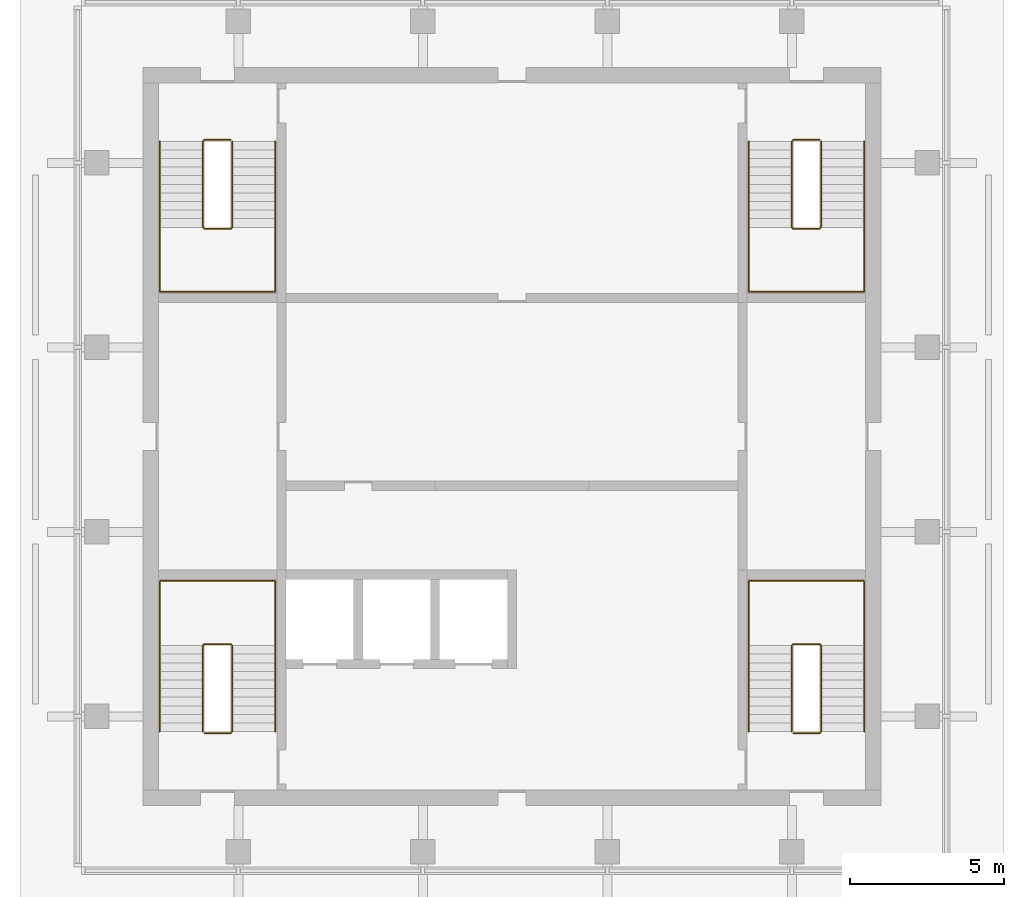
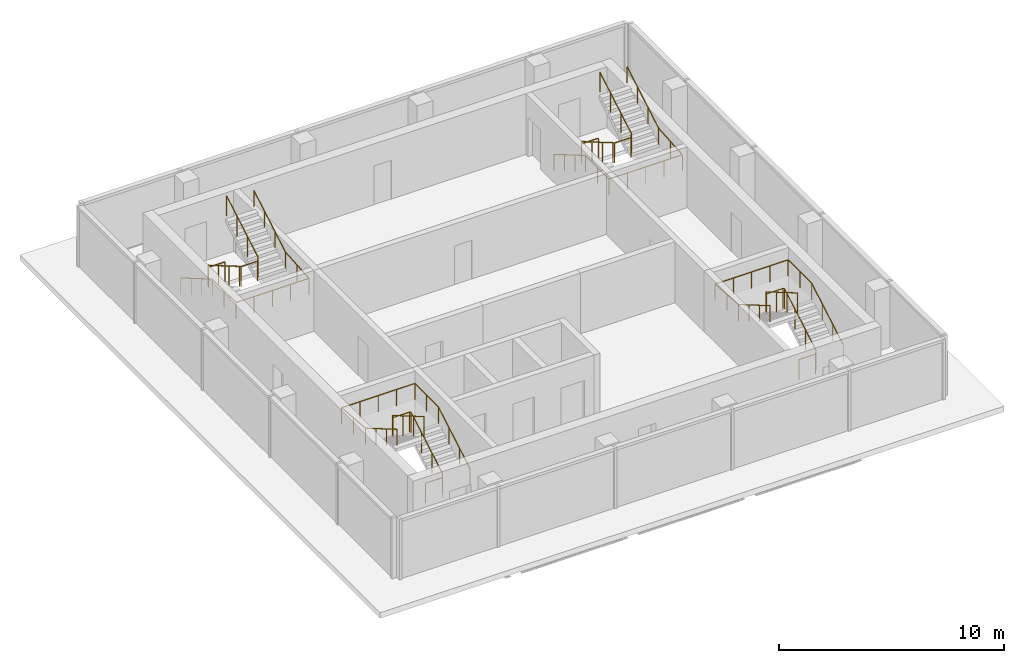
# One storey, part 4 of 4: 8 railings.
"""IFC4 building model written with IfcOpenShell, lengths in metres."""

from ifc_helpers import new_model, si_unit, direction, frame, origin, origin_2d, place, context, subcontext, project, spatial, circle, extrude, material, type_object, element, save


model = new_model("IFC4")

# Units and contexts
model_context = context("Model", 3, precision=1e-05, world=origin(), true_north=direction((0.0, 1.0)))
body_context = subcontext(model_context, "Body", "Model", "MODEL_VIEW")
ifc_project = project(units=[si_unit("LENGTHUNIT", "METRE"), si_unit("AREAUNIT", "SQUARE_METRE"), si_unit("VOLUMEUNIT", "CUBIC_METRE"), si_unit("PLANEANGLEUNIT", "RADIAN"), si_unit("MASSUNIT", "GRAM", prefix="KILO")], contexts=[model_context])

# Site, building, storey
site_placement = place(None, origin())
site = spatial("IfcSite", under=ifc_project, at=site_placement, CompositionType="ELEMENT")
building_placement = place(site_placement, origin())
building = spatial("IfcBuilding", under=site, at=building_placement, Name="Amberfall Residences", CompositionType="ELEMENT")
storey_placement = place(building_placement, frame((0.0, 0.0, 298.0)))
storey = spatial("IfcBuildingStorey", under=building, at=storey_placement, Name="L80 Crown", CompositionType="ELEMENT", Elevation=298.0)

# Railings
ifc_material = material(Name="Stainless steel 316", Category="steel")
railing_type_1 = type_object("IfcRailingType", Name="Stair guard 1100", PredefinedType="GUARDRAIL", material=ifc_material)
railing_1_placement = place(storey_placement, frame((64.5, 35.85009765625, 0.0)))
element("IfcRailing", 1, at=railing_1_placement, inside=storey, type_object=railing_type_1, Name="L80 Crown stair 1 guard", PredefinedType="GUARDRAIL", context=body_context, shape_type="SweptSolid", body=[
    extrude(circle(Radius=0.02392578125, at=origin_2d()), frame((0.0, 0.0, 1.076171875), z_axis=(1.0, 0.0, 0.0), x_axis=(0.0, 1.0, 0.0)), (0.0, 0.0, 1.0), 0.85009765625),
    extrude(circle(Radius=0.02392578125, at=origin_2d()), frame((0.85009765625, 0.0, 1.076171875), z_axis=(0.279653641804, 0.279653641804, 0.918470294159), x_axis=(-0.707106781187, 0.707106781187, 0.0)), (0.0, 0.0, 1.0), 0.177978515625),
    extrude(circle(Radius=0.02392578125, at=origin_2d()), frame((0.89990234375, 0.0498046875, 1.23974609375), z_axis=(0.0, 0.863360870873, 0.504586966384), x_axis=(-1.0, 0.0, 0.0)), (0.0, 0.0, 1.0), 3.2431640625),
    extrude(circle(Radius=0.02392578125, at=origin_2d()), frame((0.89990234375, 2.849853515625, 2.8759765625), z_axis=(-0.705375805398, 0.708833529934, 0.0), x_axis=(-0.708833529934, -0.705375805398, 0.0)), (0.0, 0.0, 1.0), 0.070556640625),
    extrude(circle(Radius=0.02392578125, at=origin_2d()), frame((0.85009765625, 2.89990234375, 2.8759765625), z_axis=(-1.0, 0.0, 0.0), x_axis=(0.0, -1.0, 0.0)), (0.0, 0.0, 1.0), 0.85009765625),
    extrude(circle(Radius=0.02392578125, at=origin_2d()), frame((0.0, 2.89990234375, 2.8759765625), z_axis=(-0.280808744504, -0.280808744504, 0.917765164963), x_axis=(0.707106781187, -0.707106781187, 0.0)), (0.0, 0.0, 1.0), 0.17822265625),
    extrude(circle(Radius=0.02392578125, at=origin_2d()), frame((-0.050048828125, 2.849853515625, 3.03955078125), z_axis=(0.0, -0.863360870873, 0.504586966384), x_axis=(1.0, 0.0, 0.0)), (0.0, 0.0, 1.0), 3.2431640625),
    extrude(circle(Radius=0.02099609375, at=origin_2d()), origin(), (0.0, 0.0, 1.0), 1.052001953125),
    extrude(circle(Radius=0.02099609375, at=origin_2d()), frame((0.85009765625, 0.0, 0.0)), (0.0, 0.0, 1.0), 1.052001953125),
    extrude(circle(Radius=0.02099609375, at=origin_2d()), frame((0.89990234375, 0.0498046875, 0.16357421875)), (0.0, 0.0, 1.0), 1.052001953125),
    extrude(circle(Radius=0.02099609375, at=origin_2d()), frame((0.89990234375, 0.983154296875, 0.708984375)), (0.0, 0.0, 1.0), 1.052001953125),
    extrude(circle(Radius=0.02099609375, at=origin_2d()), frame((0.89990234375, 1.91650390625, 1.254638671875)), (0.0, 0.0, 1.0), 1.052001953125),
    extrude(circle(Radius=0.02099609375, at=origin_2d()), frame((0.89990234375, 2.849853515625, 1.800048828125)), (0.0, 0.0, 1.0), 1.052001953125),
    extrude(circle(Radius=0.02099609375, at=origin_2d()), frame((0.85009765625, 2.89990234375, 1.800048828125)), (0.0, 0.0, 1.0), 1.052001953125),
    extrude(circle(Radius=0.02099609375, at=origin_2d()), frame((0.0, 2.89990234375, 1.800048828125)), (0.0, 0.0, 1.0), 1.052001953125),
    extrude(circle(Radius=0.02099609375, at=origin_2d()), frame((-0.050048828125, 2.849853515625, 1.963623046875)), (0.0, 0.0, 1.0), 1.052001953125),
    extrude(circle(Radius=0.02099609375, at=origin_2d()), frame((-0.050048828125, 1.91650390625, 2.509033203125)), (0.0, 0.0, 1.0), 1.052001953125),
    extrude(circle(Radius=0.02099609375, at=origin_2d()), frame((-0.050048828125, 0.983154296875, 3.0546875)), (0.0, 0.0, 1.0), 1.052001953125),
    extrude(circle(Radius=0.02099609375, at=origin_2d()), frame((-0.050048828125, 0.0498046875, 3.60009765625)), (0.0, 0.0, 1.0), 1.052001953125),
])
railing_2_placement = place(storey_placement, frame((83.64990234375, 35.85009765625, 0.0)))
element("IfcRailing", 2, at=railing_2_placement, inside=storey, type_object=railing_type_1, Name="L80 Crown stair 2 guard", PredefinedType="GUARDRAIL", context=body_context, shape_type="SweptSolid", body=[
    extrude(circle(Radius=0.02392578125, at=origin_2d()), frame((0.0, 0.0, 1.076171875), z_axis=(1.0, 0.0, 0.0), x_axis=(0.0, 1.0, 0.0)), (0.0, 0.0, 1.0), 0.85009765625),
    extrude(circle(Radius=0.02392578125, at=origin_2d()), frame((0.85009765625, 0.0, 1.076171875), z_axis=(0.280916556609, 0.279546231943, 0.91811752648), x_axis=(-0.705375805398, 0.708833529934, 0.0)), (0.0, 0.0, 1.0), 0.17822265625),
    extrude(circle(Radius=0.02392578125, at=origin_2d()), frame((0.900146484375, 0.0498046875, 1.23974609375), z_axis=(0.0, 0.863360870873, 0.504586966384), x_axis=(-1.0, 0.0, 0.0)), (0.0, 0.0, 1.0), 3.2431640625),
    extrude(circle(Radius=0.02392578125, at=origin_2d()), frame((0.900146484375, 2.849853515625, 2.8759765625), z_axis=(-0.707106781187, 0.707106781187, 0.0), x_axis=(-0.707106781187, -0.707106781187, 0.0)), (0.0, 0.0, 1.0), 0.07080078125),
    extrude(circle(Radius=0.02392578125, at=origin_2d()), frame((0.85009765625, 2.89990234375, 2.8759765625), z_axis=(-1.0, 0.0, 0.0), x_axis=(0.0, -1.0, 0.0)), (0.0, 0.0, 1.0), 0.85009765625),
    extrude(circle(Radius=0.02392578125, at=origin_2d()), frame((0.0, 2.89990234375, 2.8759765625), z_axis=(-0.279546231943, -0.280916556609, 0.91811752648), x_axis=(0.708833529934, -0.705375805398, 0.0)), (0.0, 0.0, 1.0), 0.17822265625),
    extrude(circle(Radius=0.02392578125, at=origin_2d()), frame((-0.0498046875, 2.849853515625, 3.03955078125), z_axis=(0.0, -0.863360870873, 0.504586966384), x_axis=(1.0, 0.0, 0.0)), (0.0, 0.0, 1.0), 3.2431640625),
    extrude(circle(Radius=0.02099609375, at=origin_2d()), origin(), (0.0, 0.0, 1.0), 1.052001953125),
    extrude(circle(Radius=0.02099609375, at=origin_2d()), frame((0.85009765625, 0.0, 0.0)), (0.0, 0.0, 1.0), 1.052001953125),
    extrude(circle(Radius=0.02099609375, at=origin_2d()), frame((0.900146484375, 0.0498046875, 0.16357421875)), (0.0, 0.0, 1.0), 1.052001953125),
    extrude(circle(Radius=0.02099609375, at=origin_2d()), frame((0.900146484375, 0.983154296875, 0.708984375)), (0.0, 0.0, 1.0), 1.052001953125),
    extrude(circle(Radius=0.02099609375, at=origin_2d()), frame((0.900146484375, 1.91650390625, 1.254638671875)), (0.0, 0.0, 1.0), 1.052001953125),
    extrude(circle(Radius=0.02099609375, at=origin_2d()), frame((0.900146484375, 2.849853515625, 1.800048828125)), (0.0, 0.0, 1.0), 1.052001953125),
    extrude(circle(Radius=0.02099609375, at=origin_2d()), frame((0.85009765625, 2.89990234375, 1.800048828125)), (0.0, 0.0, 1.0), 1.052001953125),
    extrude(circle(Radius=0.02099609375, at=origin_2d()), frame((0.0, 2.89990234375, 1.800048828125)), (0.0, 0.0, 1.0), 1.052001953125),
    extrude(circle(Radius=0.02099609375, at=origin_2d()), frame((-0.0498046875, 2.849853515625, 1.963623046875)), (0.0, 0.0, 1.0), 1.052001953125),
    extrude(circle(Radius=0.02099609375, at=origin_2d()), frame((-0.0498046875, 1.91650390625, 2.509033203125)), (0.0, 0.0, 1.0), 1.052001953125),
    extrude(circle(Radius=0.02099609375, at=origin_2d()), frame((-0.0498046875, 0.983154296875, 3.0546875)), (0.0, 0.0, 1.0), 1.052001953125),
    extrude(circle(Radius=0.02099609375, at=origin_2d()), frame((-0.0498046875, 0.0498046875, 3.60009765625)), (0.0, 0.0, 1.0), 1.052001953125),
])
railing_3_placement = place(storey_placement, frame((84.5, 55.14990234375, 0.0)))
element("IfcRailing", 3, at=railing_3_placement, inside=storey, type_object=railing_type_1, Name="L80 Crown stair 3 guard", PredefinedType="GUARDRAIL", context=body_context, shape_type="SweptSolid", body=[
    extrude(circle(Radius=0.02392578125, at=origin_2d()), frame((0.0, 0.0, 1.076171875), z_axis=(-1.0, 0.0, 0.0), x_axis=(0.0, -1.0, 0.0)), (0.0, 0.0, 1.0), 0.85009765625),
    extrude(circle(Radius=0.02392578125, at=origin_2d()), frame((-0.85009765625, 0.0, 1.076171875), z_axis=(-0.279653641804, -0.279653641804, 0.918470294159), x_axis=(0.707106781187, -0.707106781187, 0.0)), (0.0, 0.0, 1.0), 0.177978515625),
    extrude(circle(Radius=0.02392578125, at=origin_2d()), frame((-0.89990234375, -0.0498046875, 1.23974609375), z_axis=(0.0, -0.863360870873, 0.504586966384), x_axis=(1.0, 0.0, 0.0)), (0.0, 0.0, 1.0), 3.2431640625),
    extrude(circle(Radius=0.02392578125, at=origin_2d()), frame((-0.89990234375, -2.849853515625, 2.8759765625), z_axis=(0.705375805398, -0.708833529934, 0.0), x_axis=(0.708833529934, 0.705375805398, 0.0)), (0.0, 0.0, 1.0), 0.070556640625),
    extrude(circle(Radius=0.02392578125, at=origin_2d()), frame((-0.85009765625, -2.89990234375, 2.8759765625), z_axis=(1.0, 0.0, 0.0), x_axis=(0.0, 1.0, 0.0)), (0.0, 0.0, 1.0), 0.85009765625),
    extrude(circle(Radius=0.02392578125, at=origin_2d()), frame((0.0, -2.89990234375, 2.8759765625), z_axis=(0.280808744504, 0.280808744504, 0.917765164963), x_axis=(-0.707106781187, 0.707106781187, 0.0)), (0.0, 0.0, 1.0), 0.17822265625),
    extrude(circle(Radius=0.02392578125, at=origin_2d()), frame((0.050048828125, -2.849853515625, 3.03955078125), z_axis=(0.0, 0.863360870873, 0.504586966384), x_axis=(-1.0, 0.0, 0.0)), (0.0, 0.0, 1.0), 3.2431640625),
    extrude(circle(Radius=0.02099609375, at=origin_2d()), origin(), (0.0, 0.0, 1.0), 1.052001953125),
    extrude(circle(Radius=0.02099609375, at=origin_2d()), frame((-0.85009765625, 0.0, 0.0)), (0.0, 0.0, 1.0), 1.052001953125),
    extrude(circle(Radius=0.02099609375, at=origin_2d()), frame((-0.89990234375, -0.0498046875, 0.16357421875)), (0.0, 0.0, 1.0), 1.052001953125),
    extrude(circle(Radius=0.02099609375, at=origin_2d()), frame((-0.89990234375, -0.983154296875, 0.708984375)), (0.0, 0.0, 1.0), 1.052001953125),
    extrude(circle(Radius=0.02099609375, at=origin_2d()), frame((-0.89990234375, -1.91650390625, 1.254638671875)), (0.0, 0.0, 1.0), 1.052001953125),
    extrude(circle(Radius=0.02099609375, at=origin_2d()), frame((-0.89990234375, -2.849853515625, 1.800048828125)), (0.0, 0.0, 1.0), 1.052001953125),
    extrude(circle(Radius=0.02099609375, at=origin_2d()), frame((-0.85009765625, -2.89990234375, 1.800048828125)), (0.0, 0.0, 1.0), 1.052001953125),
    extrude(circle(Radius=0.02099609375, at=origin_2d()), frame((0.0, -2.89990234375, 1.800048828125)), (0.0, 0.0, 1.0), 1.052001953125),
    extrude(circle(Radius=0.02099609375, at=origin_2d()), frame((0.050048828125, -2.849853515625, 1.963623046875)), (0.0, 0.0, 1.0), 1.052001953125),
    extrude(circle(Radius=0.02099609375, at=origin_2d()), frame((0.050048828125, -1.91650390625, 2.509033203125)), (0.0, 0.0, 1.0), 1.052001953125),
    extrude(circle(Radius=0.02099609375, at=origin_2d()), frame((0.050048828125, -0.983154296875, 3.0546875)), (0.0, 0.0, 1.0), 1.052001953125),
    extrude(circle(Radius=0.02099609375, at=origin_2d()), frame((0.050048828125, -0.0498046875, 3.60009765625)), (0.0, 0.0, 1.0), 1.052001953125),
])
railing_4_placement = place(storey_placement, frame((65.35009765625, 55.14990234375, 0.0)))
element("IfcRailing", 4, at=railing_4_placement, inside=storey, type_object=railing_type_1, Name="L80 Crown stair 4 guard", PredefinedType="GUARDRAIL", context=body_context, shape_type="SweptSolid", body=[
    extrude(circle(Radius=0.02392578125, at=origin_2d()), frame((0.0, 0.0, 1.076171875), z_axis=(-1.0, 0.0, 0.0), x_axis=(0.0, -1.0, 0.0)), (0.0, 0.0, 1.0), 0.85009765625),
    extrude(circle(Radius=0.02392578125, at=origin_2d()), frame((-0.85009765625, 0.0, 1.076171875), z_axis=(-0.280916556609, -0.279546231943, 0.91811752648), x_axis=(0.705375805398, -0.708833529934, 0.0)), (0.0, 0.0, 1.0), 0.17822265625),
    extrude(circle(Radius=0.02392578125, at=origin_2d()), frame((-0.900146484375, -0.0498046875, 1.23974609375), z_axis=(0.0, -0.863360870873, 0.504586966384), x_axis=(1.0, 0.0, 0.0)), (0.0, 0.0, 1.0), 3.2431640625),
    extrude(circle(Radius=0.02392578125, at=origin_2d()), frame((-0.900146484375, -2.849853515625, 2.8759765625), z_axis=(0.707106781187, -0.707106781187, 0.0), x_axis=(0.707106781187, 0.707106781187, 0.0)), (0.0, 0.0, 1.0), 0.07080078125),
    extrude(circle(Radius=0.02392578125, at=origin_2d()), frame((-0.85009765625, -2.89990234375, 2.8759765625), z_axis=(1.0, 0.0, 0.0), x_axis=(0.0, 1.0, 0.0)), (0.0, 0.0, 1.0), 0.85009765625),
    extrude(circle(Radius=0.02392578125, at=origin_2d()), frame((0.0, -2.89990234375, 2.8759765625), z_axis=(0.279546231943, 0.280916556609, 0.91811752648), x_axis=(-0.708833529934, 0.705375805398, 0.0)), (0.0, 0.0, 1.0), 0.17822265625),
    extrude(circle(Radius=0.02392578125, at=origin_2d()), frame((0.0498046875, -2.849853515625, 3.03955078125), z_axis=(0.0, 0.863360870873, 0.504586966384), x_axis=(-1.0, 0.0, 0.0)), (0.0, 0.0, 1.0), 3.2431640625),
    extrude(circle(Radius=0.02099609375, at=origin_2d()), origin(), (0.0, 0.0, 1.0), 1.052001953125),
    extrude(circle(Radius=0.02099609375, at=origin_2d()), frame((-0.85009765625, 0.0, 0.0)), (0.0, 0.0, 1.0), 1.052001953125),
    extrude(circle(Radius=0.02099609375, at=origin_2d()), frame((-0.900146484375, -0.0498046875, 0.16357421875)), (0.0, 0.0, 1.0), 1.052001953125),
    extrude(circle(Radius=0.02099609375, at=origin_2d()), frame((-0.900146484375, -0.983154296875, 0.708984375)), (0.0, 0.0, 1.0), 1.052001953125),
    extrude(circle(Radius=0.02099609375, at=origin_2d()), frame((-0.900146484375, -1.91650390625, 1.254638671875)), (0.0, 0.0, 1.0), 1.052001953125),
    extrude(circle(Radius=0.02099609375, at=origin_2d()), frame((-0.900146484375, -2.849853515625, 1.800048828125)), (0.0, 0.0, 1.0), 1.052001953125),
    extrude(circle(Radius=0.02099609375, at=origin_2d()), frame((-0.85009765625, -2.89990234375, 1.800048828125)), (0.0, 0.0, 1.0), 1.052001953125),
    extrude(circle(Radius=0.02099609375, at=origin_2d()), frame((0.0, -2.89990234375, 1.800048828125)), (0.0, 0.0, 1.0), 1.052001953125),
    extrude(circle(Radius=0.02099609375, at=origin_2d()), frame((0.0498046875, -2.849853515625, 1.963623046875)), (0.0, 0.0, 1.0), 1.052001953125),
    extrude(circle(Radius=0.02099609375, at=origin_2d()), frame((0.0498046875, -1.91650390625, 2.509033203125)), (0.0, 0.0, 1.0), 1.052001953125),
    extrude(circle(Radius=0.02099609375, at=origin_2d()), frame((0.0498046875, -0.983154296875, 3.0546875)), (0.0, 0.0, 1.0), 1.052001953125),
    extrude(circle(Radius=0.02099609375, at=origin_2d()), frame((0.0498046875, -0.0498046875, 3.60009765625)), (0.0, 0.0, 1.0), 1.052001953125),
])
railing_type_2 = type_object("IfcRailingType", Name="Stair handrail 900", PredefinedType="HANDRAIL", material=ifc_material)
railing_5_placement = place(storey_placement, frame((66.800048828125, 35.89990234375, 0.16357421875)))
element("IfcRailing", 5, at=railing_5_placement, inside=storey, type_object=railing_type_2, Name="L80 Crown stair 1 handrail", PredefinedType="HANDRAIL", context=body_context, shape_type="SweptSolid", body=[
    extrude(circle(Radius=0.02392578125, at=origin_2d()), frame((0.0, 0.0, 0.8759765625), z_axis=(0.0, 0.863360870873, 0.504586966384), x_axis=(-1.0, 0.0, 0.0)), (0.0, 0.0, 1.0), 3.2431640625),
    extrude(circle(Radius=0.02392578125, at=origin_2d()), frame((0.0, 2.800048828125, 2.51220703125), z_axis=(0.0, 1.0, 0.0), x_axis=(-1.0, 0.0, 0.0)), (0.0, 0.0, 1.0), 2.10009765625),
    extrude(circle(Radius=0.02392578125, at=origin_2d()), frame((0.0, 4.900146484375, 2.51220703125), z_axis=(-1.0, 0.0, 0.0), x_axis=(0.0, -1.0, 0.0)), (0.0, 0.0, 1.0), 3.75),
    extrude(circle(Radius=0.02392578125, at=origin_2d()), frame((-3.75, 4.900146484375, 2.51220703125), z_axis=(0.0, -0.996980394804, 0.077653669439), x_axis=(1.0, 0.0, 0.0)), (0.0, 0.0, 1.0), 2.1064453125),
    extrude(circle(Radius=0.02392578125, at=origin_2d()), frame((-3.75, 2.800048828125, 2.67578125), z_axis=(0.0, -0.863360870873, 0.504586966384), x_axis=(1.0, 0.0, 0.0)), (0.0, 0.0, 1.0), 3.2431640625),
    extrude(circle(Radius=0.02099609375, at=origin_2d()), origin(), (0.0, 0.0, 1.0), 0.851806640625),
    extrude(circle(Radius=0.02099609375, at=origin_2d()), frame((0.0, 0.933349609375, 0.54541015625)), (0.0, 0.0, 1.0), 0.851806640625),
    extrude(circle(Radius=0.02099609375, at=origin_2d()), frame((0.0, 1.86669921875, 1.091064453125)), (0.0, 0.0, 1.0), 0.851806640625),
    extrude(circle(Radius=0.02099609375, at=origin_2d()), frame((0.0, 2.800048828125, 1.636474609375)), (0.0, 0.0, 1.0), 0.851806640625),
    extrude(circle(Radius=0.02099609375, at=origin_2d()), frame((0.0, 3.85009765625, 1.636474609375)), (0.0, 0.0, 1.0), 0.851806640625),
    extrude(circle(Radius=0.02099609375, at=origin_2d()), frame((0.0, 4.900146484375, 1.636474609375)), (0.0, 0.0, 1.0), 0.851806640625),
    extrude(circle(Radius=0.02099609375, at=origin_2d()), frame((-0.9375, 4.900146484375, 1.636474609375)), (0.0, 0.0, 1.0), 0.851806640625),
    extrude(circle(Radius=0.02099609375, at=origin_2d()), frame((-1.875, 4.900146484375, 1.636474609375)), (0.0, 0.0, 1.0), 0.851806640625),
    extrude(circle(Radius=0.02099609375, at=origin_2d()), frame((-2.8125, 4.900146484375, 1.636474609375)), (0.0, 0.0, 1.0), 0.851806640625),
    extrude(circle(Radius=0.02099609375, at=origin_2d()), frame((-3.75, 4.900146484375, 1.636474609375)), (0.0, 0.0, 1.0), 0.851806640625),
    extrude(circle(Radius=0.02099609375, at=origin_2d()), frame((-3.75, 3.85009765625, 1.71826171875)), (0.0, 0.0, 1.0), 0.851806640625),
    extrude(circle(Radius=0.02099609375, at=origin_2d()), frame((-3.75, 2.800048828125, 1.800048828125)), (0.0, 0.0, 1.0), 0.851806640625),
    extrude(circle(Radius=0.02099609375, at=origin_2d()), frame((-3.75, 1.86669921875, 2.345458984375)), (0.0, 0.0, 1.0), 0.851806640625),
    extrude(circle(Radius=0.02099609375, at=origin_2d()), frame((-3.75, 0.933349609375, 2.89111328125)), (0.0, 0.0, 1.0), 0.851806640625),
    extrude(circle(Radius=0.02099609375, at=origin_2d()), frame((-3.75, 0.0, 3.4365234375)), (0.0, 0.0, 1.0), 0.851806640625),
])
railing_6_placement = place(storey_placement, frame((85.949951171875, 35.89990234375, 0.16357421875)))
element("IfcRailing", 6, at=railing_6_placement, inside=storey, type_object=railing_type_2, Name="L80 Crown stair 2 handrail", PredefinedType="HANDRAIL", context=body_context, shape_type="SweptSolid", body=[
    extrude(circle(Radius=0.02392578125, at=origin_2d()), frame((0.0, 0.0, 0.8759765625), z_axis=(0.0, 0.863360870873, 0.504586966384), x_axis=(-1.0, 0.0, 0.0)), (0.0, 0.0, 1.0), 3.2431640625),
    extrude(circle(Radius=0.02392578125, at=origin_2d()), frame((0.0, 2.800048828125, 2.51220703125), z_axis=(0.0, 1.0, 0.0), x_axis=(-1.0, 0.0, 0.0)), (0.0, 0.0, 1.0), 2.10009765625),
    extrude(circle(Radius=0.02392578125, at=origin_2d()), frame((0.0, 4.900146484375, 2.51220703125), z_axis=(-1.0, 0.0, 0.0), x_axis=(0.0, -1.0, 0.0)), (0.0, 0.0, 1.0), 3.75),
    extrude(circle(Radius=0.02392578125, at=origin_2d()), frame((-3.75, 4.900146484375, 2.51220703125), z_axis=(0.0, -0.996980394804, 0.077653669439), x_axis=(1.0, 0.0, 0.0)), (0.0, 0.0, 1.0), 2.1064453125),
    extrude(circle(Radius=0.02392578125, at=origin_2d()), frame((-3.75, 2.800048828125, 2.67578125), z_axis=(0.0, -0.863360870873, 0.504586966384), x_axis=(1.0, 0.0, 0.0)), (0.0, 0.0, 1.0), 3.2431640625),
    extrude(circle(Radius=0.02099609375, at=origin_2d()), origin(), (0.0, 0.0, 1.0), 0.851806640625),
    extrude(circle(Radius=0.02099609375, at=origin_2d()), frame((0.0, 0.933349609375, 0.54541015625)), (0.0, 0.0, 1.0), 0.851806640625),
    extrude(circle(Radius=0.02099609375, at=origin_2d()), frame((0.0, 1.86669921875, 1.091064453125)), (0.0, 0.0, 1.0), 0.851806640625),
    extrude(circle(Radius=0.02099609375, at=origin_2d()), frame((0.0, 2.800048828125, 1.636474609375)), (0.0, 0.0, 1.0), 0.851806640625),
    extrude(circle(Radius=0.02099609375, at=origin_2d()), frame((0.0, 3.85009765625, 1.636474609375)), (0.0, 0.0, 1.0), 0.851806640625),
    extrude(circle(Radius=0.02099609375, at=origin_2d()), frame((0.0, 4.900146484375, 1.636474609375)), (0.0, 0.0, 1.0), 0.851806640625),
    extrude(circle(Radius=0.02099609375, at=origin_2d()), frame((-0.9375, 4.900146484375, 1.636474609375)), (0.0, 0.0, 1.0), 0.851806640625),
    extrude(circle(Radius=0.02099609375, at=origin_2d()), frame((-1.875, 4.900146484375, 1.636474609375)), (0.0, 0.0, 1.0), 0.851806640625),
    extrude(circle(Radius=0.02099609375, at=origin_2d()), frame((-2.8125, 4.900146484375, 1.636474609375)), (0.0, 0.0, 1.0), 0.851806640625),
    extrude(circle(Radius=0.02099609375, at=origin_2d()), frame((-3.75, 4.900146484375, 1.636474609375)), (0.0, 0.0, 1.0), 0.851806640625),
    extrude(circle(Radius=0.02099609375, at=origin_2d()), frame((-3.75, 3.85009765625, 1.71826171875)), (0.0, 0.0, 1.0), 0.851806640625),
    extrude(circle(Radius=0.02099609375, at=origin_2d()), frame((-3.75, 2.800048828125, 1.800048828125)), (0.0, 0.0, 1.0), 0.851806640625),
    extrude(circle(Radius=0.02099609375, at=origin_2d()), frame((-3.75, 1.86669921875, 2.345458984375)), (0.0, 0.0, 1.0), 0.851806640625),
    extrude(circle(Radius=0.02099609375, at=origin_2d()), frame((-3.75, 0.933349609375, 2.89111328125)), (0.0, 0.0, 1.0), 0.851806640625),
    extrude(circle(Radius=0.02099609375, at=origin_2d()), frame((-3.75, 0.0, 3.4365234375)), (0.0, 0.0, 1.0), 0.851806640625),
])
railing_7_placement = place(storey_placement, frame((82.199951171875, 55.10009765625, 0.16357421875)))
element("IfcRailing", 7, at=railing_7_placement, inside=storey, type_object=railing_type_2, Name="L80 Crown stair 3 handrail", PredefinedType="HANDRAIL", context=body_context, shape_type="SweptSolid", body=[
    extrude(circle(Radius=0.02392578125, at=origin_2d()), frame((0.0, 0.0, 0.8759765625), z_axis=(0.0, -0.863360870873, 0.504586966384), x_axis=(1.0, 0.0, 0.0)), (0.0, 0.0, 1.0), 3.2431640625),
    extrude(circle(Radius=0.02392578125, at=origin_2d()), frame((0.0, -2.800048828125, 2.51220703125), z_axis=(0.0, -1.0, 0.0), x_axis=(1.0, 0.0, 0.0)), (0.0, 0.0, 1.0), 2.10009765625),
    extrude(circle(Radius=0.02392578125, at=origin_2d()), frame((0.0, -4.900146484375, 2.51220703125), z_axis=(1.0, 0.0, 0.0), x_axis=(0.0, 1.0, 0.0)), (0.0, 0.0, 1.0), 3.75),
    extrude(circle(Radius=0.02392578125, at=origin_2d()), frame((3.75, -4.900146484375, 2.51220703125), z_axis=(0.0, 0.996980394804, 0.077653669439), x_axis=(-1.0, 0.0, 0.0)), (0.0, 0.0, 1.0), 2.1064453125),
    extrude(circle(Radius=0.02392578125, at=origin_2d()), frame((3.75, -2.800048828125, 2.67578125), z_axis=(0.0, 0.863360870873, 0.504586966384), x_axis=(-1.0, 0.0, 0.0)), (0.0, 0.0, 1.0), 3.2431640625),
    extrude(circle(Radius=0.02099609375, at=origin_2d()), origin(), (0.0, 0.0, 1.0), 0.851806640625),
    extrude(circle(Radius=0.02099609375, at=origin_2d()), frame((0.0, -0.933349609375, 0.54541015625)), (0.0, 0.0, 1.0), 0.851806640625),
    extrude(circle(Radius=0.02099609375, at=origin_2d()), frame((0.0, -1.86669921875, 1.091064453125)), (0.0, 0.0, 1.0), 0.851806640625),
    extrude(circle(Radius=0.02099609375, at=origin_2d()), frame((0.0, -2.800048828125, 1.636474609375)), (0.0, 0.0, 1.0), 0.851806640625),
    extrude(circle(Radius=0.02099609375, at=origin_2d()), frame((0.0, -3.85009765625, 1.636474609375)), (0.0, 0.0, 1.0), 0.851806640625),
    extrude(circle(Radius=0.02099609375, at=origin_2d()), frame((0.0, -4.900146484375, 1.636474609375)), (0.0, 0.0, 1.0), 0.851806640625),
    extrude(circle(Radius=0.02099609375, at=origin_2d()), frame((0.9375, -4.900146484375, 1.636474609375)), (0.0, 0.0, 1.0), 0.851806640625),
    extrude(circle(Radius=0.02099609375, at=origin_2d()), frame((1.875, -4.900146484375, 1.636474609375)), (0.0, 0.0, 1.0), 0.851806640625),
    extrude(circle(Radius=0.02099609375, at=origin_2d()), frame((2.8125, -4.900146484375, 1.636474609375)), (0.0, 0.0, 1.0), 0.851806640625),
    extrude(circle(Radius=0.02099609375, at=origin_2d()), frame((3.75, -4.900146484375, 1.636474609375)), (0.0, 0.0, 1.0), 0.851806640625),
    extrude(circle(Radius=0.02099609375, at=origin_2d()), frame((3.75, -3.85009765625, 1.71826171875)), (0.0, 0.0, 1.0), 0.851806640625),
    extrude(circle(Radius=0.02099609375, at=origin_2d()), frame((3.75, -2.800048828125, 1.800048828125)), (0.0, 0.0, 1.0), 0.851806640625),
    extrude(circle(Radius=0.02099609375, at=origin_2d()), frame((3.75, -1.86669921875, 2.345458984375)), (0.0, 0.0, 1.0), 0.851806640625),
    extrude(circle(Radius=0.02099609375, at=origin_2d()), frame((3.75, -0.933349609375, 2.89111328125)), (0.0, 0.0, 1.0), 0.851806640625),
    extrude(circle(Radius=0.02099609375, at=origin_2d()), frame((3.75, 0.0, 3.4365234375)), (0.0, 0.0, 1.0), 0.851806640625),
])
railing_8_placement = place(storey_placement, frame((63.050048828125, 55.10009765625, 0.16357421875)))
element("IfcRailing", 8, at=railing_8_placement, inside=storey, type_object=railing_type_2, Name="L80 Crown stair 4 handrail", PredefinedType="HANDRAIL", context=body_context, shape_type="SweptSolid", body=[
    extrude(circle(Radius=0.02392578125, at=origin_2d()), frame((0.0, 0.0, 0.8759765625), z_axis=(0.0, -0.863360870873, 0.504586966384), x_axis=(1.0, 0.0, 0.0)), (0.0, 0.0, 1.0), 3.2431640625),
    extrude(circle(Radius=0.02392578125, at=origin_2d()), frame((0.0, -2.800048828125, 2.51220703125), z_axis=(0.0, -1.0, 0.0), x_axis=(1.0, 0.0, 0.0)), (0.0, 0.0, 1.0), 2.10009765625),
    extrude(circle(Radius=0.02392578125, at=origin_2d()), frame((0.0, -4.900146484375, 2.51220703125), z_axis=(1.0, 0.0, 0.0), x_axis=(0.0, 1.0, 0.0)), (0.0, 0.0, 1.0), 3.75),
    extrude(circle(Radius=0.02392578125, at=origin_2d()), frame((3.75, -4.900146484375, 2.51220703125), z_axis=(0.0, 0.996980394804, 0.077653669439), x_axis=(-1.0, 0.0, 0.0)), (0.0, 0.0, 1.0), 2.1064453125),
    extrude(circle(Radius=0.02392578125, at=origin_2d()), frame((3.75, -2.800048828125, 2.67578125), z_axis=(0.0, 0.863360870873, 0.504586966384), x_axis=(-1.0, 0.0, 0.0)), (0.0, 0.0, 1.0), 3.2431640625),
    extrude(circle(Radius=0.02099609375, at=origin_2d()), origin(), (0.0, 0.0, 1.0), 0.851806640625),
    extrude(circle(Radius=0.02099609375, at=origin_2d()), frame((0.0, -0.933349609375, 0.54541015625)), (0.0, 0.0, 1.0), 0.851806640625),
    extrude(circle(Radius=0.02099609375, at=origin_2d()), frame((0.0, -1.86669921875, 1.091064453125)), (0.0, 0.0, 1.0), 0.851806640625),
    extrude(circle(Radius=0.02099609375, at=origin_2d()), frame((0.0, -2.800048828125, 1.636474609375)), (0.0, 0.0, 1.0), 0.851806640625),
    extrude(circle(Radius=0.02099609375, at=origin_2d()), frame((0.0, -3.85009765625, 1.636474609375)), (0.0, 0.0, 1.0), 0.851806640625),
    extrude(circle(Radius=0.02099609375, at=origin_2d()), frame((0.0, -4.900146484375, 1.636474609375)), (0.0, 0.0, 1.0), 0.851806640625),
    extrude(circle(Radius=0.02099609375, at=origin_2d()), frame((0.9375, -4.900146484375, 1.636474609375)), (0.0, 0.0, 1.0), 0.851806640625),
    extrude(circle(Radius=0.02099609375, at=origin_2d()), frame((1.875, -4.900146484375, 1.636474609375)), (0.0, 0.0, 1.0), 0.851806640625),
    extrude(circle(Radius=0.02099609375, at=origin_2d()), frame((2.8125, -4.900146484375, 1.636474609375)), (0.0, 0.0, 1.0), 0.851806640625),
    extrude(circle(Radius=0.02099609375, at=origin_2d()), frame((3.75, -4.900146484375, 1.636474609375)), (0.0, 0.0, 1.0), 0.851806640625),
    extrude(circle(Radius=0.02099609375, at=origin_2d()), frame((3.75, -3.85009765625, 1.71826171875)), (0.0, 0.0, 1.0), 0.851806640625),
    extrude(circle(Radius=0.02099609375, at=origin_2d()), frame((3.75, -2.800048828125, 1.800048828125)), (0.0, 0.0, 1.0), 0.851806640625),
    extrude(circle(Radius=0.02099609375, at=origin_2d()), frame((3.75, -1.86669921875, 2.345458984375)), (0.0, 0.0, 1.0), 0.851806640625),
    extrude(circle(Radius=0.02099609375, at=origin_2d()), frame((3.75, -0.933349609375, 2.89111328125)), (0.0, 0.0, 1.0), 0.851806640625),
    extrude(circle(Radius=0.02099609375, at=origin_2d()), frame((3.75, 0.0, 3.4365234375)), (0.0, 0.0, 1.0), 0.851806640625),
])

save(model, "model.ifc")
